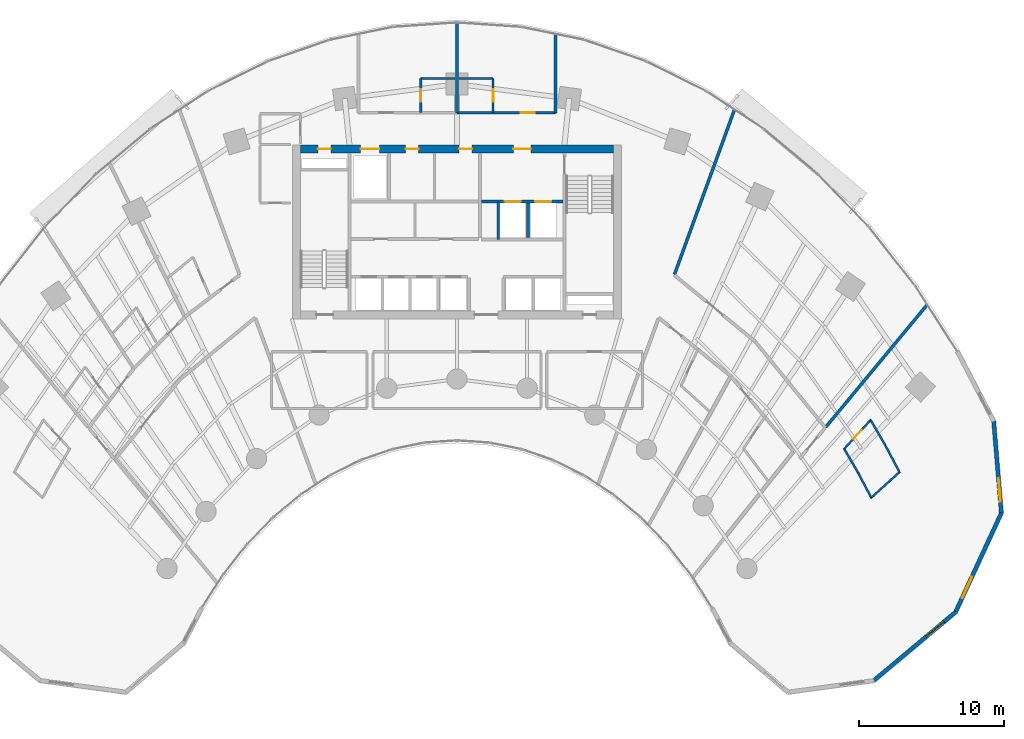
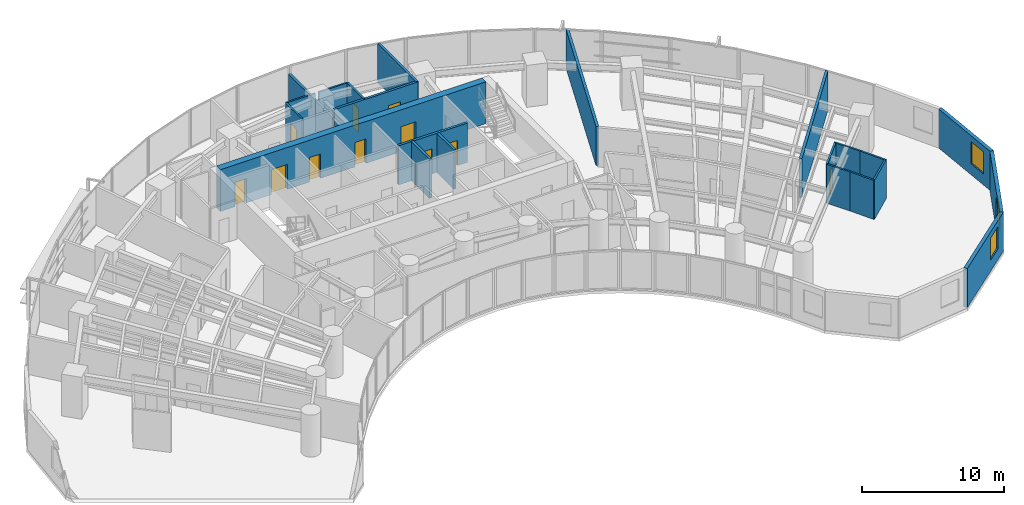
# One storey, part 14 of 17: 22 walls, 11 doors, 3 windows, 14 openings.
"""IFC4 building model written with IfcOpenShell, lengths in metres."""

from ifc_helpers import new_model, si_unit, direction, frame, frame_2d, origin, place, context, subcontext, project, spatial, rectangle, extrude, source, transform, mapped, material, layer, layer_set, type_object, type_shapes, element, fill, save


model = new_model("IFC4")

# Units and contexts
model_context = context("Model", 3, precision=1e-05, world=origin(), true_north=direction((0.0, 1.0)))
body_context = subcontext(model_context, "Body", "Model", "MODEL_VIEW")
ifc_project = project(units=[si_unit("LENGTHUNIT", "METRE"), si_unit("AREAUNIT", "SQUARE_METRE"), si_unit("VOLUMEUNIT", "CUBIC_METRE"), si_unit("PLANEANGLEUNIT", "RADIAN"), si_unit("MASSUNIT", "GRAM", prefix="KILO")], contexts=[model_context])

# Site, building, storey
site_placement = place(None, origin())
site = spatial("IfcSite", under=ifc_project, at=site_placement, CompositionType="ELEMENT")
building_placement = place(site_placement, origin())
building = spatial("IfcBuilding", under=site, at=building_placement, Name="Breltana Convention Tower", CompositionType="ELEMENT")
storey_placement = place(building_placement, frame((0.0, 0.0, 71.39990234375)))
storey = spatial("IfcBuildingStorey", under=building, at=storey_placement, Name="L16", CompositionType="ELEMENT", Elevation=71.39990234375)

# Wall, openings, doors
ifc_material_1 = material(Name="Concrete C60/75", Category="concrete")
ifc_layer_1 = layer(ifc_material_1, 0.550048828125, Name="Concrete C60/75")
ifc_layer_set_1 = layer_set([ifc_layer_1], Name="Concrete C60/75")
wall_type_1 = type_object("IfcWallType", Name="SW-CORE-550", PredefinedType="SHEAR", material=ifc_layer_set_1)
shared_shape_1 = source(origin(), body_context, "Body", "SweptSolid", [
    extrude(rectangle(XDim=21.60009765625, YDim=0.550048828125, at=frame_2d((10.800048828125, 0.0))), origin(), (0.0, 0.0, 1.0), 3.60009765625),
])
wall_1_placement = place(storey_placement, frame((37.199951171875, 71.925048828125, 0.0), z_axis=(0.0, 0.0, 1.0), x_axis=(1.0, 0.0, 0.0)))
wall_1 = element("IfcWall", 1, at=wall_1_placement, inside=storey, type_object=wall_type_1, Name="L16 North Core Shear Wall", PredefinedType="SHEAR", context=body_context, shape_type="MappedRepresentation", body=[
    mapped(shared_shape_1, transform((0.0, 0.0, 0.0), scale=1.0)),
])
opening_1_placement = place(wall_1_placement, frame((1.199951171875, 0.0, 0.0)))
opening_1 = element("IfcOpeningElement", 2, at=opening_1_placement, cuts=wall_1, Name="Opening D-18", PredefinedType="OPENING", context=body_context, shape_type="SweptSolid", body=[
    extrude(rectangle(XDim=0.89990234375, YDim=2.10009765625, at=frame_2d((0.449951171875, 1.050048828125))), frame((0.0, 0.28515625, 0.0), z_axis=(0.0, -1.0, 0.0), x_axis=(1.0, 0.0, 0.0)), (0.0, 0.0, 1.0), 0.570068359375),
])
opening_2_placement = place(wall_1_placement, frame((14.699951171875, 0.0, 0.0)))
opening_2 = element("IfcOpeningElement", 3, at=opening_2_placement, cuts=wall_1, Name="Opening D-09", PredefinedType="OPENING", context=body_context, shape_type="SweptSolid", body=[
    extrude(rectangle(XDim=1.199951171875, YDim=2.14990234375, at=frame_2d((0.60009765625, 1.074951171875))), frame((0.0, 0.28515625, 0.0), z_axis=(0.0, -1.0, 0.0), x_axis=(1.0, 0.0, 0.0)), (0.0, 0.0, 1.0), 0.570068359375),
])
opening_3_placement = place(wall_1_placement, frame((4.14990234375, 0.0, 0.0)))
opening_3 = element("IfcOpeningElement", 4, at=opening_3_placement, cuts=wall_1, Name="Opening LD-01", PredefinedType="OPENING", context=body_context, shape_type="SweptSolid", body=[
    extrude(rectangle(XDim=1.300048828125, YDim=2.14990234375, at=frame_2d((0.64990234375, 1.074951171875))), frame((0.0, 0.28515625, 0.0), z_axis=(0.0, -1.0, 0.0), x_axis=(1.0, 0.0, 0.0)), (0.0, 0.0, 1.0), 0.570068359375),
])
opening_4_placement = place(wall_1_placement, frame((7.25, 0.0, 0.0)))
opening_4 = element("IfcOpeningElement", 5, at=opening_4_placement, cuts=wall_1, Name="Opening D-18", PredefinedType="OPENING", context=body_context, shape_type="SweptSolid", body=[
    extrude(rectangle(XDim=0.89990234375, YDim=2.10009765625, at=frame_2d((0.449951171875, 1.050048828125))), frame((0.0, 0.28515625, 0.0), z_axis=(0.0, -1.0, 0.0), x_axis=(1.0, 0.0, 0.0)), (0.0, 0.0, 1.0), 0.570068359375),
])
opening_5_placement = place(wall_1_placement, frame((10.949951171875, 0.0, 0.0)))
opening_5 = element("IfcOpeningElement", 6, at=opening_5_placement, cuts=wall_1, Name="Opening D-18", PredefinedType="OPENING", context=body_context, shape_type="SweptSolid", body=[
    extrude(rectangle(XDim=0.89990234375, YDim=2.10009765625, at=frame_2d((0.449951171875, 1.050048828125))), frame((0.0, 0.28515625, 0.0), z_axis=(0.0, -1.0, 0.0), x_axis=(1.0, 0.0, 0.0)), (0.0, 0.0, 1.0), 0.570068359375),
])
ifc_material_2 = material(Name="Steel Riser Fire Door", Category="steel")
door_type_1 = type_object("IfcDoorType", Name="DR-FD60-900", OperationType="NOTDEFINED", PredefinedType="DOOR", material=ifc_material_2)
shared_shape_2 = source(origin(), body_context, "Body", "SweptSolid", [
    extrude(rectangle(XDim=0.89990234375, YDim=2.10009765625, at=frame_2d((0.449951171875, 1.050048828125))), frame((0.0, 0.02490234375, 0.0), z_axis=(0.0, -1.0, 0.0), x_axis=(1.0, 0.0, 0.0)), (0.0, 0.0, 1.0), 0.050048828125),
])
type_shapes(door_type_1, [shared_shape_2])
door_1_placement = place(opening_1_placement, origin())
door_1 = element("IfcDoor", 7, at=door_1_placement, inside=storey, type_object=door_type_1, Name="L16 Core Riser Access Door D-L16-RS1", OperationType="SINGLE_SWING_LEFT", OverallHeight=2.10009765625, OverallWidth=0.89990234375, PredefinedType="DOOR", context=body_context, shape_type="MappedRepresentation", body=[
    mapped(shared_shape_2, transform((0.0, 0.0, 0.0), scale=1.0)),
])
fill(opening_1, door_1)
door_2_placement = place(opening_4_placement, origin())
door_2 = element("IfcDoor", 8, at=door_2_placement, inside=storey, type_object=door_type_1, Name="L16 interior door D-L16-CRA1", OperationType="SINGLE_SWING_RIGHT", OverallHeight=2.10009765625, OverallWidth=0.89990234375, PredefinedType="DOOR", context=body_context, shape_type="MappedRepresentation", body=[
    mapped(shared_shape_2, transform((0.0, 0.0, 0.0), scale=1.0)),
])
fill(opening_4, door_2)
door_3_placement = place(opening_5_placement, origin())
door_3 = element("IfcDoor", 9, at=door_3_placement, inside=storey, type_object=door_type_1, Name="L16 interior door D-L16-CRA2", OperationType="SINGLE_SWING_LEFT", OverallHeight=2.10009765625, OverallWidth=0.89990234375, PredefinedType="DOOR", context=body_context, shape_type="MappedRepresentation", body=[
    mapped(shared_shape_2, transform((0.0, 0.0, 0.0), scale=1.0)),
])
fill(opening_5, door_3)
ifc_material_3 = material(Name="Steel Fire Lobby Door", Category="steel")
door_type_2 = type_object("IfcDoorType", Name="DR-FD120-1200", OperationType="NOTDEFINED", PredefinedType="DOOR", material=ifc_material_3)
shared_shape_3 = source(origin(), body_context, "Body", "SweptSolid", [
    extrude(rectangle(XDim=1.199951171875, YDim=2.14990234375, at=frame_2d((0.60009765625, 1.074951171875))), frame((0.0, 0.02490234375, 0.0), z_axis=(0.0, -1.0, 0.0), x_axis=(1.0, 0.0, 0.0)), (0.0, 0.0, 1.0), 0.050048828125),
])
type_shapes(door_type_2, [shared_shape_3])
door_4_placement = place(opening_2_placement, origin())
door_4 = element("IfcDoor", 10, at=door_4_placement, inside=storey, type_object=door_type_2, Name="L16 interior door D-L16-FFL-N", OperationType="SINGLE_SWING_RIGHT", OverallHeight=2.14990234375, OverallWidth=1.199951171875, PredefinedType="DOOR", context=body_context, shape_type="MappedRepresentation", body=[
    mapped(shared_shape_3, transform((0.0, 0.0, 0.0), scale=1.0)),
])
fill(opening_2, door_4)
ifc_material_4 = material(Name="Stainless Steel Brushed", Category="steel")
door_type_3 = type_object("IfcDoorType", Name="DR-LD-SRV-1300", OperationType="DOUBLE_DOOR_SLIDING", PredefinedType="DOOR", material=ifc_material_4)
shared_shape_4 = source(origin(), body_context, "Body", "SweptSolid", [
    extrude(rectangle(XDim=1.300048828125, YDim=2.14990234375, at=frame_2d((0.64990234375, 1.074951171875))), frame((0.0, 0.02490234375, 0.0), z_axis=(0.0, -1.0, 0.0), x_axis=(1.0, 0.0, 0.0)), (0.0, 0.0, 1.0), 0.050048828125),
])
type_shapes(door_type_3, [shared_shape_4])
door_5_placement = place(opening_3_placement, origin())
door_5 = element("IfcDoor", 11, at=door_5_placement, inside=storey, type_object=door_type_3, Name="L16 Lift Landing Door D-L16-LD-SV1", OperationType="DOUBLE_DOOR_SLIDING", OverallHeight=2.14990234375, OverallWidth=1.300048828125, PredefinedType="DOOR", context=body_context, shape_type="MappedRepresentation", body=[
    mapped(shared_shape_4, transform((0.0, 0.0, 0.0), scale=1.0)),
])
fill(opening_3, door_5)

# Wall, opening, window
ifc_material_5 = material(Name="Limestone Buff Insulated Wall", Category="masonry")
ifc_layer_2 = layer(ifc_material_5, 0.280029296875, Name="Limestone Buff Insulated Wall")
ifc_layer_set_2 = layer_set([ifc_layer_2], Name="Limestone Buff Insulated Wall")
wall_type_2 = type_object("IfcWallType", Name="WL-EXT-NOSE-280", PredefinedType="SOLIDWALL", material=ifc_layer_set_2)
shared_shape_5 = source(origin(), body_context, "Body", "SweptSolid", [
    extrude(rectangle(XDim=6.3525390625, YDim=0.280029296875, at=frame_2d((3.17626953125, 0.0))), origin(), (0.0, 0.0, 1.0), 3.360107421875),
])
wall_2_placement = place(storey_placement, frame((85.052978515625, 53.1220703125, 0.0), z_axis=(0.0, 0.0, 1.0), x_axis=(0.083319001377, -0.996522926986, 0.0)))
wall_2 = element("IfcWall", 12, at=wall_2_placement, inside=storey, type_object=wall_type_2, Name="L16 curved limestone nose wall E1", PredefinedType="SOLIDWALL", context=body_context, shape_type="MappedRepresentation", body=[
    mapped(shared_shape_5, transform((0.0, 0.0, 0.0), scale=1.0)),
])
opening_6_placement = place(wall_2_placement, frame((3.96435546875, 0.0, 0.949951171875)))
opening_6 = element("IfcOpeningElement", 13, at=opening_6_placement, cuts=wall_2, Name="Opening W-04", PredefinedType="OPENING", context=body_context, shape_type="SweptSolid", body=[
    extrude(rectangle(XDim=1.60009765625, YDim=1.89990234375, at=frame_2d((0.800048828125, 0.949951171875))), frame((0.0, 0.14990234375, 0.0), z_axis=(0.0, -1.0, 0.0), x_axis=(1.0, 0.0, 0.0)), (0.0, 0.0, 1.0), 0.300048828125),
])
ifc_material_6 = material(Name="Glass Low-E Insulated Window", Category="glass")
window_type = type_object("IfcWindowType", Name="WN-NOSE-1600X1900", PartitioningType="SINGLE_PANEL", PredefinedType="WINDOW", material=ifc_material_6)
shared_shape_6 = source(origin(), body_context, "Body", "SweptSolid", [
    extrude(rectangle(XDim=1.60009765625, YDim=1.89990234375, at=frame_2d((0.800048828125, 0.949951171875))), frame((0.0, 0.030029296875, 0.0), z_axis=(0.0, -1.0, 0.0), x_axis=(1.0, 0.0, 0.0)), (0.0, 0.0, 1.0), 0.06005859375),
])
type_shapes(window_type, [shared_shape_6])
window_1_placement = place(opening_6_placement, origin())
window_1 = element("IfcWindow", 14, at=window_1_placement, inside=storey, type_object=window_type, Name="L16 nose window E1", OverallHeight=1.89990234375, OverallWidth=1.60009765625, PartitioningType="SINGLE_PANEL", PredefinedType="WINDOW", context=body_context, shape_type="MappedRepresentation", body=[
    mapped(shared_shape_6, transform((0.0, 0.0, 0.0), scale=1.0)),
])
fill(opening_6, window_1)

shared_shape_7 = source(origin(), body_context, "Body", "SweptSolid", [
    extrude(rectangle(XDim=7.536376953125, YDim=0.280029296875, at=frame_2d((3.76806640625, 0.0))), origin(), (0.0, 0.0, 1.0), 3.360107421875),
])
wall_3_placement = place(storey_placement, frame((85.582275390625, 46.79150390625, 0.0), z_axis=(0.0, 0.0, 1.0), x_axis=(-0.41964973873, -0.907686122393, 0.0)))
wall_3 = element("IfcWall", 15, at=wall_3_placement, inside=storey, type_object=wall_type_2, Name="L16 curved limestone nose wall E2", PredefinedType="SOLIDWALL", context=body_context, shape_type="MappedRepresentation", body=[
    mapped(shared_shape_7, transform((0.0, 0.0, 0.0), scale=1.0)),
])
opening_7_placement = place(wall_3_placement, frame((4.852294921875, 0.0, 0.949951171875)))
opening_7 = element("IfcOpeningElement", 16, at=opening_7_placement, cuts=wall_3, Name="Opening W-04", PredefinedType="OPENING", context=body_context, shape_type="SweptSolid", body=[
    extrude(rectangle(XDim=1.60009765625, YDim=1.89990234375, at=frame_2d((0.800048828125, 0.949951171875))), frame((0.0, 0.14990234375, 0.0), z_axis=(0.0, -1.0, 0.0), x_axis=(1.0, 0.0, 0.0)), (0.0, 0.0, 1.0), 0.300048828125),
])
window_2_placement = place(opening_7_placement, origin())
window_2 = element("IfcWindow", 17, at=window_2_placement, inside=storey, type_object=window_type, Name="L16 nose window E2", OverallHeight=1.89990234375, OverallWidth=1.60009765625, PartitioningType="SINGLE_PANEL", PredefinedType="WINDOW", context=body_context, shape_type="MappedRepresentation", body=[
    mapped(shared_shape_6, transform((0.0, 0.0, 0.0), scale=1.0)),
])
fill(opening_7, window_2)

shared_shape_8 = source(origin(), body_context, "Body", "SweptSolid", [
    extrude(rectangle(XDim=7.35888671875, YDim=0.280029296875, at=frame_2d((3.679443359375, 0.0))), origin(), (0.0, 0.0, 1.0), 3.360107421875),
])
wall_4_placement = place(storey_placement, frame((82.419677734375, 39.950927734375, 0.0), z_axis=(0.0, 0.0, 1.0), x_axis=(-0.766737165543, -0.641961150675, 0.0)))
wall_4 = element("IfcWall", 18, at=wall_4_placement, inside=storey, type_object=wall_type_2, Name="L16 curved limestone nose wall E3", PredefinedType="SOLIDWALL", context=body_context, shape_type="MappedRepresentation", body=[
    mapped(shared_shape_8, transform((0.0, 0.0, 0.0), scale=1.0)),
])
opening_8_placement = place(wall_4_placement, frame((1.039794921875, 0.0, 0.949951171875)))
opening_8 = element("IfcOpeningElement", 19, at=opening_8_placement, cuts=wall_4, Name="Opening W-04", PredefinedType="OPENING", context=body_context, shape_type="SweptSolid", body=[
    extrude(rectangle(XDim=1.60009765625, YDim=1.89990234375, at=frame_2d((0.800048828125, 0.949951171875))), frame((0.0, 0.14990234375, 0.0), z_axis=(0.0, -1.0, 0.0), x_axis=(1.0, 0.0, 0.0)), (0.0, 0.0, 1.0), 0.300048828125),
])
window_3_placement = place(opening_8_placement, origin())
window_3 = element("IfcWindow", 20, at=window_3_placement, inside=storey, type_object=window_type, Name="L16 nose window E3", OverallHeight=1.89990234375, OverallWidth=1.60009765625, PartitioningType="SINGLE_PANEL", PredefinedType="WINDOW", context=body_context, shape_type="MappedRepresentation", body=[
    mapped(shared_shape_6, transform((0.0, 0.0, 0.0), scale=1.0)),
])
fill(opening_8, window_3)

# Wall, openings, doors
ifc_material_7 = material(Name="Autoclaved Aerated Concrete Block", Category="concrete")
ifc_layer_3 = layer(ifc_material_7, 0.199951171875, Name="Autoclaved Aerated Concrete Block")
ifc_layer_set_3 = layer_set([ifc_layer_3], Name="Autoclaved Aerated Concrete Block")
wall_type_3 = type_object("IfcWallType", Name="WL-SHAFT-200", PredefinedType="SOLIDWALL", material=ifc_layer_set_3)
shared_shape_9 = source(origin(), body_context, "Body", "SweptSolid", [
    extrude(rectangle(XDim=5.6201171875, YDim=0.199951171875, at=frame_2d((2.81005859375, 0.0))), origin(), (0.0, 0.0, 1.0), 3.360107421875),
])
wall_5_placement = place(storey_placement, frame((49.699951171875, 68.300048828125, 0.0), z_axis=(0.0, 0.0, 1.0), x_axis=(1.0, 0.0, 0.0)))
wall_5 = element("IfcWall", 21, at=wall_5_placement, inside=storey, type_object=wall_type_3, Name="L16 interior partition W-L16-FFL-S", PredefinedType="SOLIDWALL", context=body_context, shape_type="MappedRepresentation", body=[
    mapped(shared_shape_9, transform((0.0, 0.0, 0.0), scale=1.0)),
])
opening_9_placement = place(wall_5_placement, frame((1.60009765625, 0.0, 0.0)))
opening_9 = element("IfcOpeningElement", 22, at=opening_9_placement, cuts=wall_5, Name="Opening LD-03", PredefinedType="OPENING", context=body_context, shape_type="SweptSolid", body=[
    extrude(rectangle(XDim=1.10009765625, YDim=2.14990234375, at=frame_2d((0.550048828125, 1.074951171875))), frame((0.0, 0.10986328125, 0.0), z_axis=(0.0, -1.0, 0.0), x_axis=(1.0, 0.0, 0.0)), (0.0, 0.0, 1.0), 0.219970703125),
])
opening_10_placement = place(wall_5_placement, frame((3.699951171875, 0.0, 0.0)))
opening_10 = element("IfcOpeningElement", 23, at=opening_10_placement, cuts=wall_5, Name="Opening LD-03", PredefinedType="OPENING", context=body_context, shape_type="SweptSolid", body=[
    extrude(rectangle(XDim=1.10009765625, YDim=2.14990234375, at=frame_2d((0.550048828125, 1.074951171875))), frame((0.0, 0.10986328125, 0.0), z_axis=(0.0, -1.0, 0.0), x_axis=(1.0, 0.0, 0.0)), (0.0, 0.0, 1.0), 0.219970703125),
])
door_type_4 = type_object("IfcDoorType", Name="DR-LD-FF-1100", OperationType="DOUBLE_DOOR_SLIDING", PredefinedType="DOOR", material=ifc_material_4)
shared_shape_10 = source(origin(), body_context, "Body", "SweptSolid", [
    extrude(rectangle(XDim=1.10009765625, YDim=2.14990234375, at=frame_2d((0.550048828125, 1.074951171875))), frame((0.0, 0.02490234375, 0.0), z_axis=(0.0, -1.0, 0.0), x_axis=(1.0, 0.0, 0.0)), (0.0, 0.0, 1.0), 0.050048828125),
])
type_shapes(door_type_4, [shared_shape_10])
door_6_placement = place(opening_9_placement, origin())
door_6 = element("IfcDoor", 24, at=door_6_placement, inside=storey, type_object=door_type_4, Name="L16 Lift Landing Door D-L16-LD-FL1", OperationType="DOUBLE_DOOR_SLIDING", OverallHeight=2.14990234375, OverallWidth=1.10009765625, PredefinedType="DOOR", context=body_context, shape_type="MappedRepresentation", body=[
    mapped(shared_shape_10, transform((0.0, 0.0, 0.0), scale=1.0)),
])
fill(opening_9, door_6)
door_7_placement = place(opening_10_placement, origin())
door_7 = element("IfcDoor", 25, at=door_7_placement, inside=storey, type_object=door_type_4, Name="L16 Lift Landing Door D-L16-LD-FL2", OperationType="DOUBLE_DOOR_SLIDING", OverallHeight=2.14990234375, OverallWidth=1.10009765625, PredefinedType="DOOR", context=body_context, shape_type="MappedRepresentation", body=[
    mapped(shared_shape_10, transform((0.0, 0.0, 0.0), scale=1.0)),
])
fill(opening_10, door_7)

# Walls
shared_shape_11 = source(origin(), body_context, "Body", "SweptSolid", [
    extrude(rectangle(XDim=2.580078125, YDim=0.199951171875, at=frame_2d((1.2900390625, 0.0))), origin(), (0.0, 0.0, 1.0), 3.360107421875),
])
wall_6_placement = place(storey_placement, frame((50.85009765625, 65.679931640625, 0.0), z_axis=(0.0, 0.0, 1.0), x_axis=(0.0, 1.0, 0.0)))
element("IfcWall", 26, at=wall_6_placement, inside=storey, type_object=wall_type_3, Name="L16 interior partition W-L16-FL-W", PredefinedType="SOLIDWALL", context=body_context, shape_type="MappedRepresentation", body=[
    mapped(shared_shape_11, transform((0.0, 0.0, 0.0), scale=1.0)),
])
shared_shape_12 = source(origin(), body_context, "Body", "SweptSolid", [
    extrude(rectangle(XDim=2.39990234375, YDim=0.199951171875, at=frame_2d((1.199951171875, 0.0))), origin(), (0.0, 0.0, 1.0), 3.360107421875),
])
wall_7_placement = place(storey_placement, frame((52.89990234375, 65.800048828125, 0.0), z_axis=(0.0, 0.0, 1.0), x_axis=(0.0, 1.0, 0.0)))
element("IfcWall", 27, at=wall_7_placement, inside=storey, type_object=wall_type_3, Name="L16 interior partition W-L16-FL-DIV", PredefinedType="SOLIDWALL", context=body_context, shape_type="MappedRepresentation", body=[
    mapped(shared_shape_12, transform((0.0, 0.0, 0.0), scale=1.0)),
])

# Wall, opening, door
ifc_material_8 = material(Name="Gypsum Acoustic Hotel Wall")
ifc_layer_4 = layer(ifc_material_8, 0.195068359375, Name="Gypsum Acoustic Hotel Wall")
ifc_layer_set_4 = layer_set([ifc_layer_4], Name="Gypsum Acoustic Hotel Wall")
wall_type_4 = type_object("IfcWallType", Name="WL-HOTEL-200", PredefinedType="PARTITIONING", material=ifc_layer_set_4)
shared_shape_13 = source(origin(), body_context, "Body", "SweptSolid", [
    extrude(rectangle(XDim=6.800048828125, YDim=0.195068359375, at=frame_2d((3.39990234375, 0.0))), origin(), (0.0, 0.0, 1.0), 3.360107421875),
])
type_shapes(wall_type_4, [shared_shape_13])
wall_8_placement = place(storey_placement, frame((48.0, 74.419921875, 0.0), z_axis=(0.0, 0.0, 1.0), x_axis=(1.0, 0.0, 0.0)))
wall_8 = element("IfcWall", 28, at=wall_8_placement, inside=storey, type_object=wall_type_4, Name="L16 interior partition W-L16-GRN2-S", PredefinedType="PARTITIONING", context=body_context, shape_type="MappedRepresentation", body=[
    mapped(shared_shape_13, transform((0.0, 0.0, 0.0), scale=1.0)),
])
opening_11_placement = place(wall_8_placement, frame((4.4208984375, 0.0, 0.0)))
opening_11 = element("IfcOpeningElement", 29, at=opening_11_placement, cuts=wall_8, Name="Opening D-14", PredefinedType="OPENING", context=body_context, shape_type="SweptSolid", body=[
    extrude(rectangle(XDim=0.949951171875, YDim=2.14990234375, at=frame_2d((0.47509765625, 1.074951171875))), frame((0.0, 0.107421875, 0.0), z_axis=(0.0, -1.0, 0.0), x_axis=(1.0, 0.0, 0.0)), (0.0, 0.0, 1.0), 0.215087890625),
])
ifc_material_9 = material(Name="Timber Solid-Core Fire Door", Category="wood")
door_type_5 = type_object("IfcDoorType", Name="DR-FD60-950", OperationType="NOTDEFINED", PredefinedType="DOOR", material=ifc_material_9)
shared_shape_14 = source(origin(), body_context, "Body", "SweptSolid", [
    extrude(rectangle(XDim=0.949951171875, YDim=2.14990234375, at=frame_2d((0.47509765625, 1.074951171875))), frame((0.0, 0.02490234375, 0.0), z_axis=(0.0, -1.0, 0.0), x_axis=(1.0, 0.0, 0.0)), (0.0, 0.0, 1.0), 0.050048828125),
])
type_shapes(door_type_5, [shared_shape_14])
door_8_placement = place(opening_11_placement, origin())
door_8 = element("IfcDoor", 30, at=door_8_placement, inside=storey, type_object=door_type_5, Name="L16 interior door D-L16-GRN2", OperationType="SINGLE_SWING_LEFT", OverallHeight=2.14990234375, OverallWidth=0.949951171875, PredefinedType="DOOR", context=body_context, shape_type="MappedRepresentation", body=[
    mapped(shared_shape_14, transform((0.0, 0.0, 0.0), scale=1.0)),
])
fill(opening_11, door_8)

# Walls
shared_shape_15 = source(origin(), body_context, "Body", "SweptSolid", [
    extrude(rectangle(XDim=6.215576171875, YDim=0.195068359375, at=frame_2d((3.10791015625, 0.0))), origin(), (0.0, 0.0, 1.0), 2.64404296875),
])
wall_9_placement = place(storey_placement, frame((48.0, 74.419921875, 0.0), z_axis=(0.0, 0.0, 1.0), x_axis=(0.0, 1.0, 0.0)))
element("IfcWall", 31, at=wall_9_placement, inside=storey, type_object=wall_type_4, Name="L16 interior partition W-L16-GRN-MID", PredefinedType="PARTITIONING", context=body_context, shape_type="MappedRepresentation", body=[
    mapped(shared_shape_15, transform((0.0, 0.0, 0.0), scale=1.0)),
])
shared_shape_16 = source(origin(), body_context, "Body", "SweptSolid", [
    extrude(rectangle(XDim=5.42626953125, YDim=0.195068359375, at=frame_2d((2.713134765625, 0.0))), origin(), (0.0, 0.0, 1.0), 3.360107421875),
])
wall_10_placement = place(storey_placement, frame((54.800048828125, 74.419921875, 0.0), z_axis=(0.0, 0.0, 1.0), x_axis=(0.0, 1.0, 0.0)))
element("IfcWall", 32, at=wall_10_placement, inside=storey, type_object=wall_type_4, Name="L16 interior partition W-L16-GRN2-SD", PredefinedType="PARTITIONING", context=body_context, shape_type="MappedRepresentation", body=[
    mapped(shared_shape_16, transform((0.0, 0.0, 0.0), scale=1.0)),
])
ifc_material_10 = material(Name="Moisture-Resistant En-Suite Partition")
ifc_layer_5 = layer(ifc_material_10, 0.139892578125, Name="Moisture-Resistant En-Suite Partition")
ifc_layer_set_5 = layer_set([ifc_layer_5], Name="Moisture-Resistant En-Suite Partition")
wall_type_5 = type_object("IfcWallType", Name="WL-WET-150", PredefinedType="PARTITIONING", material=ifc_layer_set_5)
shared_shape_17 = source(origin(), body_context, "Body", "SweptSolid", [
    extrude(rectangle(XDim=2.35009765625, YDim=0.139892578125, at=frame_2d((1.175048828125, 0.0))), origin(), (0.0, 0.0, 1.0), 3.360107421875),
])
type_shapes(wall_type_5, [shared_shape_17])
for number, where, z_axis, x_axis, name in (
    (33, (45.5, 76.780029296875, 0.0), (0.0, 0.0, 1.0), (1.0, 0.0, 0.0), "L16 interior partition W-L16-ENSN1-N"),
    (34, (48.14990234375, 76.780029296875, 0.0), (0.0, 0.0, 1.0), (1.0, 0.0, 0.0), "L16 interior partition W-L16-ENSN2-N"),
):
    element("IfcWall", number, at=place(storey_placement, frame(where, z_axis=z_axis, x_axis=x_axis)), inside=storey, type_object=wall_type_5, Name=name, PredefinedType="PARTITIONING", context=body_context, shape_type="MappedRepresentation", body=[
        mapped(shared_shape_17, transform((0.0, 0.0, 0.0), scale=1.0)),
    ])

# Wall, opening, door
shared_shape_18 = source(origin(), body_context, "Body", "SweptSolid", [
    extrude(rectangle(XDim=2.330078125, YDim=0.139892578125, at=frame_2d((1.1650390625, 0.0))), origin(), (0.0, 0.0, 1.0), 3.360107421875),
])
wall_11_placement = place(storey_placement, frame((45.5, 74.449951171875, 0.0), z_axis=(0.0, 0.0, 1.0), x_axis=(0.0, 1.0, 0.0)))
wall_11 = element("IfcWall", 35, at=wall_11_placement, inside=storey, type_object=wall_type_5, Name="L16 interior partition W-L16-ENSN1-SD", PredefinedType="PARTITIONING", context=body_context, shape_type="MappedRepresentation", body=[
    mapped(shared_shape_18, transform((0.0, 0.0, 0.0), scale=1.0)),
])
opening_12_placement = place(wall_11_placement, frame((0.739990234375, 0.0, 0.0)))
opening_12 = element("IfcOpeningElement", 36, at=opening_12_placement, cuts=wall_11, Name="Opening D-21", PredefinedType="OPENING", context=body_context, shape_type="SweptSolid", body=[
    extrude(rectangle(XDim=0.85009765625, YDim=2.050048828125, at=frame_2d((0.425048828125, 1.02490234375))), frame((0.0, 0.080078125, 0.0), z_axis=(0.0, -1.0, 0.0), x_axis=(1.0, 0.0, 0.0)), (0.0, 0.0, 1.0), 0.159912109375),
])
ifc_material_11 = material(Name="Timber Moisture-Resistant En-Suite Door", Category="wood")
door_type_6 = type_object("IfcDoorType", Name="DR-WET-850", OperationType="NOTDEFINED", PredefinedType="DOOR", material=ifc_material_11)
shared_shape_19 = source(origin(), body_context, "Body", "SweptSolid", [
    extrude(rectangle(XDim=0.85009765625, YDim=2.050048828125, at=frame_2d((0.425048828125, 1.02490234375))), frame((0.0, 0.02490234375, 0.0), z_axis=(0.0, -1.0, 0.0), x_axis=(1.0, 0.0, 0.0)), (0.0, 0.0, 1.0), 0.050048828125),
])
type_shapes(door_type_6, [shared_shape_19])
door_9_placement = place(opening_12_placement, origin())
door_9 = element("IfcDoor", 37, at=door_9_placement, inside=storey, type_object=door_type_6, Name="L16 interior door D-L16-ENSN1", OperationType="SINGLE_SWING_RIGHT", OverallHeight=2.050048828125, OverallWidth=0.85009765625, PredefinedType="DOOR", context=body_context, shape_type="MappedRepresentation", body=[
    mapped(shared_shape_19, transform((0.0, 0.0, 0.0), scale=1.0)),
])
fill(opening_12, door_9)

wall_12_placement = place(storey_placement, frame((50.5, 74.449951171875, 0.0), z_axis=(0.0, 0.0, 1.0), x_axis=(0.0, 1.0, 0.0)))
wall_12 = element("IfcWall", 38, at=wall_12_placement, inside=storey, type_object=wall_type_5, Name="L16 interior partition W-L16-ENSN2-SD", PredefinedType="PARTITIONING", context=body_context, shape_type="MappedRepresentation", body=[
    mapped(shared_shape_18, transform((0.0, 0.0, 0.0), scale=1.0)),
])
opening_13_placement = place(wall_12_placement, frame((0.739990234375, 0.0, 0.0)))
opening_13 = element("IfcOpeningElement", 39, at=opening_13_placement, cuts=wall_12, Name="Opening D-21", PredefinedType="OPENING", context=body_context, shape_type="SweptSolid", body=[
    extrude(rectangle(XDim=0.85009765625, YDim=2.050048828125, at=frame_2d((0.425048828125, 1.02490234375))), frame((0.0, 0.080078125, 0.0), z_axis=(0.0, -1.0, 0.0), x_axis=(1.0, 0.0, 0.0)), (0.0, 0.0, 1.0), 0.159912109375),
])
door_10_placement = place(opening_13_placement, origin())
door_10 = element("IfcDoor", 40, at=door_10_placement, inside=storey, type_object=door_type_6, Name="L16 interior door D-L16-ENSN2", OperationType="SINGLE_SWING_RIGHT", OverallHeight=2.050048828125, OverallWidth=0.85009765625, PredefinedType="DOOR", context=body_context, shape_type="MappedRepresentation", body=[
    mapped(shared_shape_19, transform((0.0, 0.0, 0.0), scale=1.0)),
])
fill(opening_13, door_10)

shared_shape_20 = source(origin(), body_context, "Body", "SweptSolid", [
    extrude(rectangle(XDim=2.812255859375, YDim=0.139892578125, at=frame_2d((1.40625, 0.0))), origin(), (0.0, 0.0, 1.0), 3.360107421875),
])
wall_13_placement = place(storey_placement, frame((74.69677734375, 51.176513671875, 0.0), z_axis=(0.0, 0.0, 1.0), x_axis=(0.675119025852, 0.737708818527, 0.0)))
wall_13 = element("IfcWall", 41, at=wall_13_placement, inside=storey, type_object=wall_type_5, Name="L16 interior partition W-L16-CSENS-E-W", PredefinedType="PARTITIONING", context=body_context, shape_type="MappedRepresentation", body=[
    mapped(shared_shape_20, transform((0.0, 0.0, 0.0), scale=1.0)),
])
opening_14_placement = place(wall_13_placement, frame((0.981201171875, 0.0, 0.0)))
opening_14 = element("IfcOpeningElement", 42, at=opening_14_placement, cuts=wall_13, Name="Opening D-21", PredefinedType="OPENING", context=body_context, shape_type="SweptSolid", body=[
    extrude(rectangle(XDim=0.85009765625, YDim=2.050048828125, at=frame_2d((0.425048828125, 1.02490234375))), frame((0.0, 0.080078125, 0.0), z_axis=(0.0, -1.0, 0.0), x_axis=(1.0, 0.0, 0.0)), (0.0, 0.0, 1.0), 0.159912109375),
])
door_11_placement = place(opening_14_placement, origin())
door_11 = element("IfcDoor", 43, at=door_11_placement, inside=storey, type_object=door_type_6, Name="L16 interior door D-L16-CSENS-E", OperationType="SINGLE_SWING_RIGHT", OverallHeight=2.050048828125, OverallWidth=0.85009765625, PredefinedType="DOOR", context=body_context, shape_type="MappedRepresentation", body=[
    mapped(shared_shape_19, transform((0.0, 0.0, 0.0), scale=1.0)),
])
fill(opening_14, door_11)

# Walls
shared_shape_21 = source(origin(), body_context, "Body", "SweptSolid", [
    extrude(rectangle(XDim=2.738037109375, YDim=0.139892578125, at=frame_2d((1.369140625, 0.0))), origin(), (0.0, 0.0, 1.0), 3.360107421875),
])
wall_14_placement = place(storey_placement, frame((76.560302734375, 47.81396484375, 0.0), z_axis=(0.0, 0.0, 1.0), x_axis=(0.741873676582, 0.670539669218, 0.0)))
element("IfcWall", 44, at=wall_14_placement, inside=storey, type_object=wall_type_5, Name="L16 interior partition W-L16-CSENS-E-F", PredefinedType="PARTITIONING", context=body_context, shape_type="MappedRepresentation", body=[
    mapped(shared_shape_21, transform((0.0, 0.0, 0.0), scale=1.0)),
])
shared_shape_22 = source(origin(), body_context, "Body", "SweptSolid", [
    extrude(rectangle(XDim=1.936279296875, YDim=0.139892578125, at=frame_2d((0.96826171875, 0.0))), origin(), (0.0, 0.0, 1.0), 3.360107421875),
])
wall_15_placement = place(storey_placement, frame((75.697265625, 49.5634765625, 0.0), z_axis=(0.0, 0.0, 1.0), x_axis=(0.467174971862, -0.884164886017, 0.0)))
element("IfcWall", 45, at=wall_15_placement, inside=storey, type_object=wall_type_5, Name="L16 interior partition W-L16-CSENS-E-B1B", PredefinedType="PARTITIONING", context=body_context, shape_type="MappedRepresentation", body=[
    mapped(shared_shape_22, transform((0.0, 0.0, 0.0), scale=1.0)),
])
shared_shape_23 = source(origin(), body_context, "Body", "SweptSolid", [
    extrude(rectangle(XDim=2.068115234375, YDim=0.139892578125, at=frame_2d((1.0341796875, 0.0))), origin(), (0.0, 0.0, 1.0), 3.360107421875),
])
wall_16_placement = place(storey_placement, frame((77.583740234375, 51.44091796875, 0.0), z_axis=(0.0, 0.0, 1.0), x_axis=(0.467215057643, -0.884143704333, 0.0)))
element("IfcWall", 46, at=wall_16_placement, inside=storey, type_object=wall_type_5, Name="L16 interior partition W-L16-CSENS-E-B2B", PredefinedType="PARTITIONING", context=body_context, shape_type="MappedRepresentation", body=[
    mapped(shared_shape_23, transform((0.0, 0.0, 0.0), scale=1.0)),
])
shared_shape_24 = source(origin(), body_context, "Body", "SweptSolid", [
    extrude(rectangle(XDim=1.914306640625, YDim=0.139892578125, at=frame_2d((0.95703125, 0.0))), origin(), (0.0, 0.0, 1.0), 3.360107421875),
])
wall_17_placement = place(storey_placement, frame((74.735595703125, 51.21875, 0.0), z_axis=(0.0, 0.0, 1.0), x_axis=(0.502347790612, -0.864665656347, 0.0)))
element("IfcWall", 47, at=wall_17_placement, inside=storey, type_object=wall_type_5, Name="L16 interior partition W-L16-CSENS-E-B1A", PredefinedType="PARTITIONING", context=body_context, shape_type="MappedRepresentation", body=[
    mapped(shared_shape_24, transform((0.0, 0.0, 0.0), scale=1.0)),
])
shared_shape_25 = source(origin(), body_context, "Body", "SweptSolid", [
    extrude(rectangle(XDim=2.044677734375, YDim=0.139892578125, at=frame_2d((1.0224609375, 0.0))), origin(), (0.0, 0.0, 1.0), 3.360107421875),
])
wall_18_placement = place(storey_placement, frame((76.556640625, 53.208984375, 0.0), z_axis=(0.0, 0.0, 1.0), x_axis=(0.5023112139, -0.864686905411, 0.0)))
element("IfcWall", 48, at=wall_18_placement, inside=storey, type_object=wall_type_5, Name="L16 interior partition W-L16-CSENS-E-B2A", PredefinedType="PARTITIONING", context=body_context, shape_type="MappedRepresentation", body=[
    mapped(shared_shape_25, transform((0.0, 0.0, 0.0), scale=1.0)),
])
ifc_material_12 = material(Name="Autoclaved Aerated Masonry Blockwork", Category="masonry")
ifc_layer_6 = layer(ifc_material_12, 0.2099609375, Name="Autoclaved Aerated Masonry Blockwork")
ifc_layer_set_6 = layer_set([ifc_layer_6], Name="Autoclaved Aerated Masonry Blockwork")
wall_type_6 = type_object("IfcWallType", Name="WL-PART-200", PredefinedType="PARTITIONING", material=ifc_layer_set_6)
shared_shape_26 = source(origin(), body_context, "Body", "SweptSolid", [
    extrude(rectangle(XDim=12.088134765625, YDim=0.2099609375, at=frame_2d((6.0439453125, 0.0))), origin(), (0.0, 0.0, 1.0), 3.360107421875),
])
wall_19_placement = place(storey_placement, frame((63.0185546875, 63.26220703125, 0.0), z_axis=(0.0, 0.0, 1.0), x_axis=(0.34203007529, 0.939689005787, 0.0)))
element("IfcWall", 49, at=wall_19_placement, inside=storey, type_object=wall_type_6, Name="L16 interior partition W-L16-H3OE-RA", PredefinedType="PARTITIONING", context=body_context, shape_type="MappedRepresentation", body=[
    mapped(shared_shape_26, transform((0.0, 0.0, 0.0), scale=1.0)),
])
shared_shape_27 = source(origin(), body_context, "Body", "SweptSolid", [
    extrude(rectangle(XDim=10.974609375, YDim=0.2099609375, at=frame_2d((5.4873046875, 0.0))), origin(), (0.0, 0.0, 1.0), 3.360107421875),
])
wall_20_placement = place(storey_placement, frame((73.460205078125, 52.71875, 0.0), z_axis=(0.0, 0.0, 1.0), x_axis=(0.638125265812, 0.769932558821, 0.0)))
element("IfcWall", 50, at=wall_20_placement, inside=storey, type_object=wall_type_6, Name="L16 interior partition W-L16-H3OE-RB", PredefinedType="PARTITIONING", context=body_context, shape_type="MappedRepresentation", body=[
    mapped(shared_shape_27, transform((0.0, 0.0, 0.0), scale=1.0)),
])

save(model, "model.ifc")
